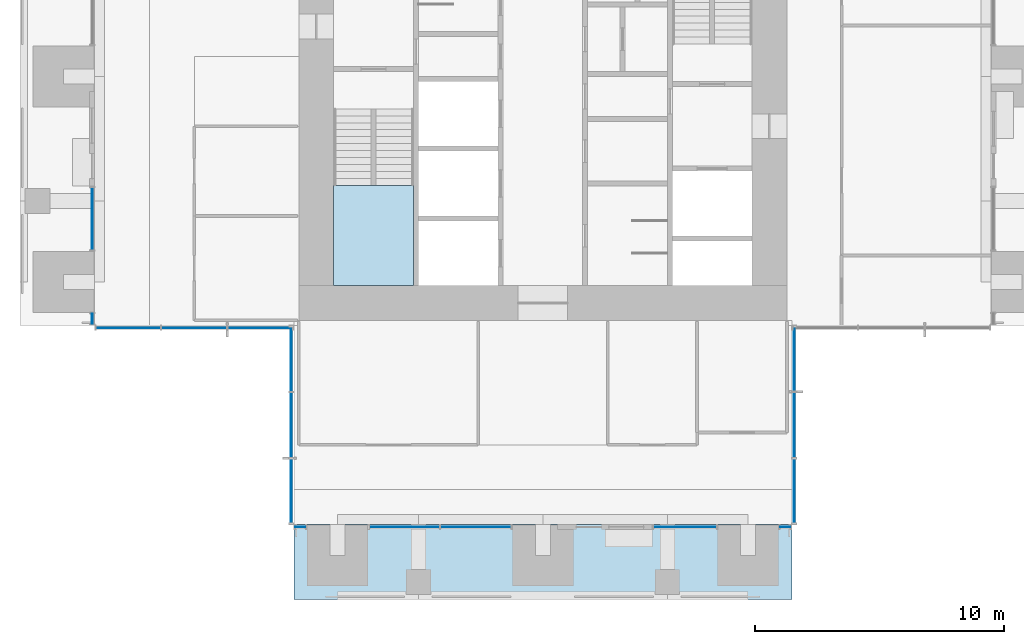
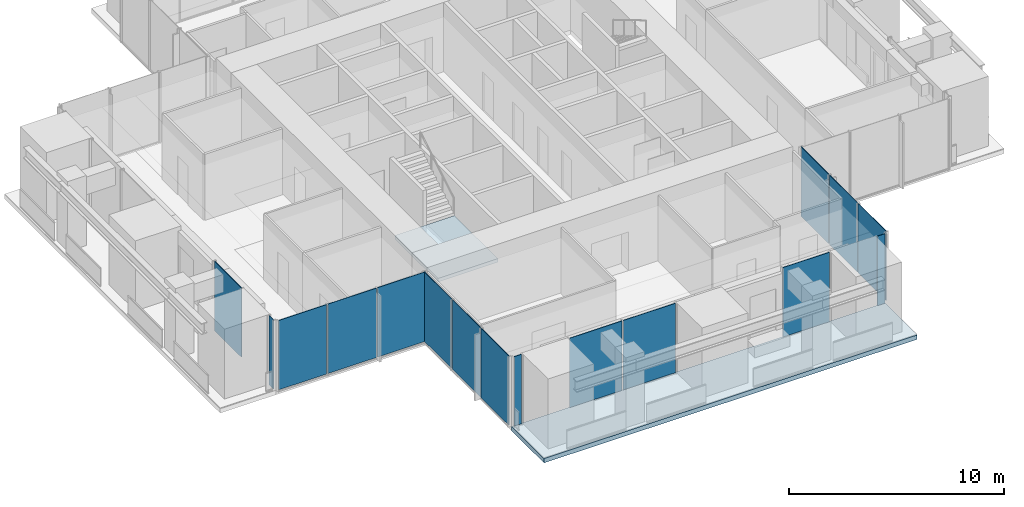
# One storey, part 7 of 17: 16 plates, 2 slabs, 10 elements without a shape of their own.
"""IFC4 building model written with IfcOpenShell, lengths in metres."""

from ifc_helpers import new_model, si_unit, direction, frame, origin, origin_2d, place, context, subcontext, project, spatial, polyline, rectangle, outline, extrude, material, layer, layer_set, type_object, element, aggregate, save


model = new_model("IFC4")

# Units and contexts
model_context = context("Model", 3, precision=1e-05, world=origin(), true_north=direction((0.0, 1.0)))
body_context = subcontext(model_context, "Body", "Model", "MODEL_VIEW")
ifc_project = project(units=[si_unit("LENGTHUNIT", "METRE"), si_unit("AREAUNIT", "SQUARE_METRE"), si_unit("VOLUMEUNIT", "CUBIC_METRE"), si_unit("PLANEANGLEUNIT", "RADIAN"), si_unit("MASSUNIT", "GRAM", prefix="KILO")], contexts=[model_context])

# Site, building, storey
site_placement = place(None, origin())
site = spatial("IfcSite", under=ifc_project, at=site_placement, CompositionType="ELEMENT")
building_placement = place(site_placement, origin())
building = spatial("IfcBuilding", under=site, at=building_placement, Name="Svetlomir Tower", CompositionType="ELEMENT")
storey_placement = place(building_placement, frame((0.0, 0.0, 178.5)))
storey = spatial("IfcBuildingStorey", under=building, at=storey_placement, Name="L42", CompositionType="ELEMENT", Elevation=178.5)

# Curtain wall, plate
ifc_material_1 = material(Name="Bronze anodised aluminium curtain wall", Category="aluminium")
curtain_wall_type = type_object("IfcCurtainWallType", Name="CURTAIN WALL CW1 TOWER OFFICE", PredefinedType="NOTDEFINED", material=ifc_material_1)
curtain_wall_1_placement = place(storey_placement, origin())
curtain_wall_1 = element("IfcCurtainWall", 1, at=curtain_wall_1_placement, inside=storey, type_object=curtain_wall_type, Name="Curtain wall CW1 L42", PredefinedType="NOTDEFINED")
ifc_material_2 = material(Name="Tinted double glazed unit", Category="glass")
ifc_layer_1 = layer(ifc_material_2, 0.031982421875)
ifc_layer_set_1 = layer_set([ifc_layer_1], Name="Tinted double glazed unit")
plate_type = type_object("IfcPlateType", Name="CW1 GLAZED PANEL 32", PredefinedType="CURTAIN_PANEL", material=ifc_layer_set_1)
plate_1_placement = place(storey_placement, frame((11.262451171875, 2.89990234375, 0.06494140625), z_axis=(0.0, 0.0, 1.0), x_axis=(1.0, 0.0, 0.0)))
plate_1 = element("IfcPlate", 2, at=plate_1_placement, type_object=plate_type, Name="CW1 panel 1.1", PredefinedType="CURTAIN_PANEL", context=body_context, shape_type="SweptSolid", body=[
    extrude(rectangle(XDim=0.39501953125, YDim=0.031982421875, at=origin_2d()), origin(), (0.0, 0.0, 1.0), 3.93505859375),
])
aggregate(curtain_wall_1, [plate_1])

# Curtain wall, plates
curtain_wall_2_placement = place(storey_placement, origin())
curtain_wall_2 = element("IfcCurtainWall", 3, at=curtain_wall_2_placement, inside=storey, type_object=curtain_wall_type, Name="Curtain wall CW1 L42", PredefinedType="NOTDEFINED")
plate_2_placement = place(storey_placement, frame((15.441162109375, 2.89990234375, 0.06494140625), z_axis=(0.0, 0.0, 1.0), x_axis=(1.0, 0.0, 0.0)))
plate_2 = element("IfcPlate", 4, at=plate_2_placement, type_object=plate_type, Name="CW1 panel 1.1", PredefinedType="CURTAIN_PANEL", context=body_context, shape_type="SweptSolid", body=[
    extrude(rectangle(XDim=2.802490234375, YDim=0.031982421875, at=origin_2d()), origin(), (0.0, 0.0, 1.0), 3.93505859375),
])
plate_3_placement = place(storey_placement, frame((18.308837890625, 2.89990234375, 0.06494140625), z_axis=(0.0, 0.0, 1.0), x_axis=(1.0, 0.0, 0.0)))
plate_3 = element("IfcPlate", 5, at=plate_3_placement, type_object=plate_type, Name="CW1 panel 2.1", PredefinedType="CURTAIN_PANEL", context=body_context, shape_type="SweptSolid", body=[
    extrude(rectangle(XDim=2.802490234375, YDim=0.031982421875, at=origin_2d()), origin(), (0.0, 0.0, 1.0), 3.93505859375),
])
aggregate(curtain_wall_2, [plate_2, plate_3])

# Curtain wall, plate
curtain_wall_3_placement = place(storey_placement, origin())
curtain_wall_3 = element("IfcCurtainWall", 6, at=curtain_wall_3_placement, inside=storey, type_object=curtain_wall_type, Name="Curtain wall CW1 L42", PredefinedType="NOTDEFINED")
plate_4_placement = place(storey_placement, frame((26.71240234375, 2.89990234375, 0.06494140625), z_axis=(0.0, 0.0, 1.0), x_axis=(1.0, 0.0, 0.0)))
plate_4 = element("IfcPlate", 7, at=plate_4_placement, type_object=plate_type, Name="CW1 panel 1.1", PredefinedType="CURTAIN_PANEL", context=body_context, shape_type="SweptSolid", body=[
    extrude(rectangle(XDim=2.4951171875, YDim=0.031982421875, at=origin_2d()), origin(), (0.0, 0.0, 1.0), 3.93505859375),
])
aggregate(curtain_wall_3, [plate_4])

curtain_wall_4_placement = place(storey_placement, origin())
curtain_wall_4 = element("IfcCurtainWall", 8, at=curtain_wall_4_placement, inside=storey, type_object=curtain_wall_type, Name="Curtain wall CW1 L42", PredefinedType="NOTDEFINED")
plate_5_placement = place(storey_placement, frame((30.737548828125, 2.89990234375, 0.06494140625), z_axis=(0.0, 0.0, 1.0), x_axis=(1.0, 0.0, 0.0)))
plate_5 = element("IfcPlate", 9, at=plate_5_placement, type_object=plate_type, Name="CW1 panel 1.1", PredefinedType="CURTAIN_PANEL", context=body_context, shape_type="SweptSolid", body=[
    extrude(rectangle(XDim=0.39501953125, YDim=0.031982421875, at=origin_2d()), origin(), (0.0, 0.0, 1.0), 3.93505859375),
])
aggregate(curtain_wall_4, [plate_5])

# Curtain wall, plates
curtain_wall_5_placement = place(storey_placement, origin())
curtain_wall_5 = element("IfcCurtainWall", 10, at=curtain_wall_5_placement, inside=storey, type_object=curtain_wall_type, Name="Curtain wall CW1 L42", PredefinedType="NOTDEFINED")
plate_6_placement = place(storey_placement, frame((31.10009765625, 4.349609375, 0.06494140625), z_axis=(0.0, 0.0, 1.0), x_axis=(0.0, 1.0, 0.0)))
plate_6 = element("IfcPlate", 11, at=plate_6_placement, type_object=plate_type, Name="CW1 panel 1.1", PredefinedType="CURTAIN_PANEL", context=body_context, shape_type="SweptSolid", body=[
    extrude(rectangle(XDim=2.569091796875, YDim=0.031982421875, at=origin_2d()), origin(), (0.0, 0.0, 1.0), 3.93505859375),
])
plate_7_placement = place(storey_placement, frame((31.10009765625, 7.0, 0.06494140625), z_axis=(0.0, 0.0, 1.0), x_axis=(0.0, 1.0, 0.0)))
plate_7 = element("IfcPlate", 12, at=plate_7_placement, type_object=plate_type, Name="CW1 panel 2.1", PredefinedType="CURTAIN_PANEL", context=body_context, shape_type="SweptSolid", body=[
    extrude(rectangle(XDim=2.6015625, YDim=0.031982421875, at=origin_2d()), origin(), (0.0, 0.0, 1.0), 3.93505859375),
])
plate_8_placement = place(storey_placement, frame((31.10009765625, 9.650390625, 0.06494140625), z_axis=(0.0, 0.0, 1.0), x_axis=(0.0, 1.0, 0.0)))
plate_8 = element("IfcPlate", 13, at=plate_8_placement, type_object=plate_type, Name="CW1 panel 3.1", PredefinedType="CURTAIN_PANEL", context=body_context, shape_type="SweptSolid", body=[
    extrude(rectangle(XDim=2.569091796875, YDim=0.031982421875, at=origin_2d()), origin(), (0.0, 0.0, 1.0), 3.93505859375),
])
aggregate(curtain_wall_5, [plate_6, plate_7, plate_8])

# Curtain wall, plate
curtain_wall_6_placement = place(storey_placement, origin())
curtain_wall_6 = element("IfcCurtainWall", 14, at=curtain_wall_6_placement, inside=storey, type_object=curtain_wall_type, Name="Curtain wall CW1 L42", PredefinedType="NOTDEFINED")
plate_9_placement = place(storey_placement, frame((2.89990234375, 15.28759765625, 0.06494140625), z_axis=(0.0, 0.0, 1.0), x_axis=(0.0, -1.0, 0.0)))
plate_9 = element("IfcPlate", 15, at=plate_9_placement, type_object=plate_type, Name="CW1 panel 1.1", PredefinedType="CURTAIN_PANEL", context=body_context, shape_type="SweptSolid", body=[
    extrude(rectangle(XDim=2.4951171875, YDim=0.031982421875, at=origin_2d()), origin(), (0.0, 0.0, 1.0), 3.93505859375),
])
aggregate(curtain_wall_6, [plate_9])

curtain_wall_7_placement = place(storey_placement, origin())
curtain_wall_7 = element("IfcCurtainWall", 16, at=curtain_wall_7_placement, inside=storey, type_object=curtain_wall_type, Name="Curtain wall CW1 L42", PredefinedType="NOTDEFINED")
plate_10_placement = place(storey_placement, frame((2.89990234375, 11.262451171875, 0.06494140625), z_axis=(0.0, 0.0, 1.0), x_axis=(0.0, -1.0, 0.0)))
plate_10 = element("IfcPlate", 17, at=plate_10_placement, type_object=plate_type, Name="CW1 panel 1.1", PredefinedType="CURTAIN_PANEL", context=body_context, shape_type="SweptSolid", body=[
    extrude(rectangle(XDim=0.39501953125, YDim=0.031982421875, at=origin_2d()), origin(), (0.0, 0.0, 1.0), 3.93505859375),
])
aggregate(curtain_wall_7, [plate_10])

# Curtain wall, plates
curtain_wall_8_placement = place(storey_placement, origin())
curtain_wall_8 = element("IfcCurtainWall", 18, at=curtain_wall_8_placement, inside=storey, type_object=curtain_wall_type, Name="Curtain wall CW1 L42", PredefinedType="NOTDEFINED")
plate_11_placement = place(storey_placement, frame((4.349609375, 10.89990234375, 0.06494140625), z_axis=(0.0, 0.0, 1.0), x_axis=(1.0, 0.0, 0.0)))
plate_11 = element("IfcPlate", 19, at=plate_11_placement, type_object=plate_type, Name="CW1 panel 1.1", PredefinedType="CURTAIN_PANEL", context=body_context, shape_type="SweptSolid", body=[
    extrude(rectangle(XDim=2.569091796875, YDim=0.031982421875, at=origin_2d()), origin(), (0.0, 0.0, 1.0), 3.93505859375),
])
plate_12_placement = place(storey_placement, frame((7.0, 10.89990234375, 0.06494140625), z_axis=(0.0, 0.0, 1.0), x_axis=(1.0, 0.0, 0.0)))
plate_12 = element("IfcPlate", 20, at=plate_12_placement, type_object=plate_type, Name="CW1 panel 2.1", PredefinedType="CURTAIN_PANEL", context=body_context, shape_type="SweptSolid", body=[
    extrude(rectangle(XDim=2.6015625, YDim=0.031982421875, at=origin_2d()), origin(), (0.0, 0.0, 1.0), 3.93505859375),
])
plate_13_placement = place(storey_placement, frame((9.650390625, 10.89990234375, 0.06494140625), z_axis=(0.0, 0.0, 1.0), x_axis=(1.0, 0.0, 0.0)))
plate_13 = element("IfcPlate", 21, at=plate_13_placement, type_object=plate_type, Name="CW1 panel 3.1", PredefinedType="CURTAIN_PANEL", context=body_context, shape_type="SweptSolid", body=[
    extrude(rectangle(XDim=2.569091796875, YDim=0.031982421875, at=origin_2d()), origin(), (0.0, 0.0, 1.0), 3.93505859375),
])
aggregate(curtain_wall_8, [plate_11, plate_12, plate_13])

curtain_wall_9_placement = place(storey_placement, origin())
curtain_wall_9 = element("IfcCurtainWall", 22, at=curtain_wall_9_placement, inside=storey, type_object=curtain_wall_type, Name="Curtain wall CW1 L42", PredefinedType="NOTDEFINED")
plate_14_placement = place(storey_placement, frame((10.89990234375, 9.650390625, 0.06494140625), z_axis=(0.0, 0.0, 1.0), x_axis=(0.0, -1.0, 0.0)))
plate_14 = element("IfcPlate", 23, at=plate_14_placement, type_object=plate_type, Name="CW1 panel 1.1", PredefinedType="CURTAIN_PANEL", context=body_context, shape_type="SweptSolid", body=[
    extrude(rectangle(XDim=2.569091796875, YDim=0.031982421875, at=origin_2d()), origin(), (0.0, 0.0, 1.0), 3.93505859375),
])
plate_15_placement = place(storey_placement, frame((10.89990234375, 7.0, 0.06494140625), z_axis=(0.0, 0.0, 1.0), x_axis=(0.0, -1.0, 0.0)))
plate_15 = element("IfcPlate", 24, at=plate_15_placement, type_object=plate_type, Name="CW1 panel 2.1", PredefinedType="CURTAIN_PANEL", context=body_context, shape_type="SweptSolid", body=[
    extrude(rectangle(XDim=2.6015625, YDim=0.031982421875, at=origin_2d()), origin(), (0.0, 0.0, 1.0), 3.93505859375),
])
plate_16_placement = place(storey_placement, frame((10.89990234375, 4.349609375, 0.06494140625), z_axis=(0.0, 0.0, 1.0), x_axis=(0.0, -1.0, 0.0)))
plate_16 = element("IfcPlate", 25, at=plate_16_placement, type_object=plate_type, Name="CW1 panel 3.1", PredefinedType="CURTAIN_PANEL", context=body_context, shape_type="SweptSolid", body=[
    extrude(rectangle(XDim=2.569091796875, YDim=0.031982421875, at=origin_2d()), origin(), (0.0, 0.0, 1.0), 3.93505859375),
])
aggregate(curtain_wall_9, [plate_14, plate_15, plate_16])

# Slab
ifc_material_3 = material(Name="Concrete C60/75", Category="concrete")
ifc_layer_2 = layer(ifc_material_3, 0.25)
ifc_layer_set_2 = layer_set([ifc_layer_2], Name="Concrete C60/75")
slab_type_1 = type_object("IfcSlabType", Name="PLANTED LOGGIA SLAB 250", PredefinedType="FLOOR", material=ifc_layer_set_2)
slab_1_placement = place(storey_placement, frame((0.0, 0.0, -0.25)))
element("IfcSlab", 26, at=slab_1_placement, inside=storey, type_object=slab_type_1, Name="L42 S planted loggia", PredefinedType="FLOOR", context=body_context, shape_type="SweptSolid", body=[
    extrude(outline(polyline([(11.0, 0.0), (31.0, 0.0), (31.0, 3.0), (11.0, 3.0), (11.0, 0.0)])), origin(), (0.0, 0.0, 1.0), 0.25),
])

# Stair, slab
ifc_material_4 = material(Name="Concrete C60/75", Category="concrete")
stair_type = type_object("IfcStairType", Name="EXIT STAIR 3200 RISE 4000", PredefinedType="HALF_TURN_STAIR", material=ifc_material_4)
stair_placement = place(storey_placement, origin())
stair = element("IfcStair", 27, at=stair_placement, inside=storey, type_object=stair_type, Name="Stair S1 L42 to L43", PredefinedType="HALF_TURN_STAIR")
ifc_material_5 = material(Name="Concrete C60/75", Category="concrete")
ifc_layer_3 = layer(ifc_material_5, 0.199951171875)
ifc_layer_set_3 = layer_set([ifc_layer_3], Name="Concrete C60/75")
slab_type_2 = type_object("IfcSlabType", Name="STAIR LANDING 200", PredefinedType="LANDING", material=ifc_layer_set_3)
slab_2_placement = place(storey_placement, frame((0.0, 0.0, 1.800048828125)))
slab_2 = element("IfcSlab", 28, at=slab_2_placement, type_object=slab_type_2, Name="S1 landing 1", PredefinedType="LANDING", context=body_context, shape_type="SweptSolid", body=[
    extrude(outline(polyline([(12.60009765625, 12.60009765625), (15.800048828125, 12.60009765625), (15.800048828125, 16.6201171875), (12.60009765625, 16.6201171875), (12.60009765625, 12.60009765625)])), origin(), (0.0, 0.0, 1.0), 0.199951171875),
])
aggregate(stair, [slab_2])

save(model, "model.ifc")
